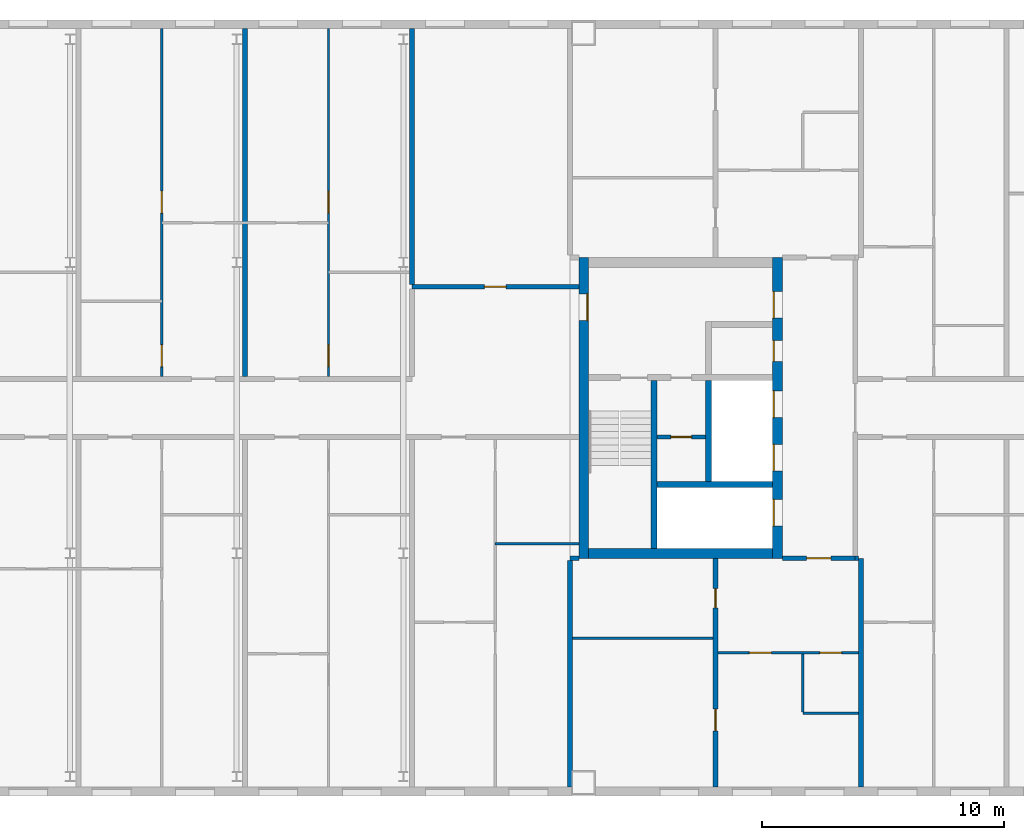
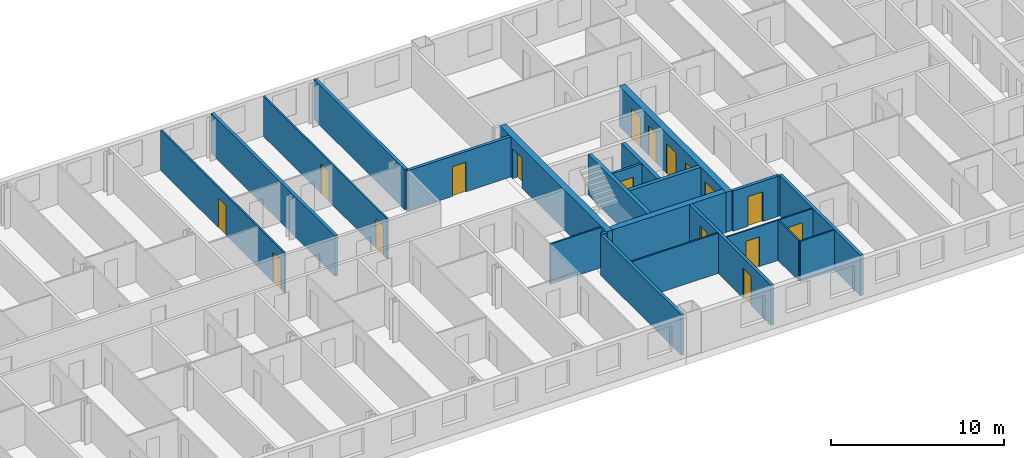
# One storey, part 13 of 19: 23 walls, 17 doors, 17 openings.
"""IFC4 building model written with IfcOpenShell, lengths in metres."""

from ifc_helpers import new_model, si_unit, direction, frame, frame_2d, origin, place, context, subcontext, project, spatial, rectangle, extrude, material, layer, layer_set, type_object, element, fill, save


model = new_model("IFC4")

# Units and contexts
model_context = context("Model", 3, precision=1e-05, world=origin(), true_north=direction((0.0, 1.0)))
body_context = subcontext(model_context, "Body", "Model", "MODEL_VIEW")
ifc_project = project(units=[si_unit("LENGTHUNIT", "METRE"), si_unit("AREAUNIT", "SQUARE_METRE"), si_unit("VOLUMEUNIT", "CUBIC_METRE"), si_unit("PLANEANGLEUNIT", "RADIAN"), si_unit("MASSUNIT", "GRAM", prefix="KILO")], contexts=[model_context])

# Site, building, storey
site_placement = place(None, origin())
site = spatial("IfcSite", under=ifc_project, at=site_placement, CompositionType="ELEMENT")
building_placement = place(site_placement, origin())
building = spatial("IfcBuilding", under=site, at=building_placement, Name="Tuart Gate Housing", CompositionType="ELEMENT")
storey_placement = place(building_placement, frame((0.0, 0.0, 202.800048828125)))
storey = spatial("IfcBuildingStorey", under=building, at=storey_placement, Name="L57", CompositionType="ELEMENT", Elevation=202.800048828125)

# Wall, opening, door
ifc_material_1 = material(Name="Plasterboard partition")
ifc_layer_1 = layer(ifc_material_1, 0.14990234375)
ifc_layer_set_1 = layer_set([ifc_layer_1], Name="Core partition 150")
wall_type_1 = type_object("IfcWallType", Name="Core partition 150", PredefinedType="PARTITIONING", material=ifc_layer_set_1)
wall_1_placement = place(storey_placement, frame((136.5849609375, 68.800048828125, 0.0), z_axis=(0.0, 0.0, 1.0), x_axis=(-1.0, 0.0, 0.0)))
wall_1 = element("IfcWall", 1, at=wall_1_placement, inside=storey, type_object=wall_type_1, Name="Core partition BG.2", PredefinedType="PARTITIONING", context=body_context, shape_type="SweptSolid", body=[
    extrude(rectangle(XDim=2.0, YDim=0.14990234375, at=frame_2d((1.0, 0.0))), origin(), (0.0, 0.0, 1.0), 2.849853515625),
])
opening_1_placement = place(wall_1_placement, frame((0.574951171875, 0.0, 0.0)))
opening_1 = element("IfcOpeningElement", 2, at=opening_1_placement, cuts=wall_1, Name="Opening D2088", PredefinedType="OPENING", context=body_context, shape_type="SweptSolid", body=[
    extrude(rectangle(XDim=0.85009765625, YDim=2.10009765625, at=frame_2d((0.425048828125, 1.050048828125))), frame((0.0, 0.0849609375, 0.0), z_axis=(0.0, -1.0, 0.0), x_axis=(1.0, 0.0, 0.0)), (0.0, 0.0, 1.0), 0.169921875),
])
ifc_material_2 = material(Name="Steel fire door", Category="steel")
door_type_1 = type_object("IfcDoorType", Name="Service door 850 x 2100 RH", OperationType="SINGLE_SWING_RIGHT", PredefinedType="DOOR", material=ifc_material_2)
door_1_placement = place(opening_1_placement, frame((0.85009765625, 0.0, 0.0), z_axis=(0.0, 0.0, 1.0), x_axis=(-1.0, 0.0, 0.0)))
door_1 = element("IfcDoor", 3, at=door_1_placement, inside=storey, type_object=door_type_1, Name="Service room door BG.W2", OperationType="SINGLE_SWING_RIGHT", OverallHeight=2.10009765625, OverallWidth=0.85009765625, PredefinedType="DOOR", context=body_context, shape_type="SweptSolid", body=[
    extrude(rectangle(XDim=0.85009765625, YDim=2.10009765625, at=frame_2d((0.425048828125, 1.050048828125))), frame((0.0, 0.025146484375, 0.0), z_axis=(0.0, -1.0, 0.0), x_axis=(1.0, 0.0, 0.0)), (0.0, 0.0, 1.0), 0.050048828125),
])
fill(opening_1, door_1)

# Walls
ifc_material_3 = material(Name="Concrete C40", Category="concrete")
ifc_layer_2 = layer(ifc_material_3, 0.25)
ifc_layer_set_2 = layer_set([ifc_layer_2], Name="Core wall 250 C40")
wall_type_2 = type_object("IfcWallType", Name="Core wall 250 C40", PredefinedType="SHEAR", material=ifc_layer_set_2)
wall_2_placement = place(storey_placement, frame((139.360107421875, 66.85009765625, 0.0), z_axis=(0.0, 0.0, 1.0), x_axis=(-1.0, 0.0, 0.0)))
element("IfcWall", 4, at=wall_2_placement, inside=storey, type_object=wall_type_2, Name="Core wall BG.1", PredefinedType="SHEAR", context=body_context, shape_type="SweptSolid", body=[
    extrude(rectangle(XDim=4.775146484375, YDim=0.25, at=frame_2d((2.3876953125, 0.0))), origin(), (0.0, 0.0, 1.0), 2.849853515625),
])
wall_3_placement = place(storey_placement, frame((136.7099609375, 66.97509765625, 0.0), z_axis=(0.0, 0.0, 1.0), x_axis=(0.0, 1.0, 0.0)))
element("IfcWall", 5, at=wall_3_placement, inside=storey, type_object=wall_type_2, Name="Core wall BG.5", PredefinedType="SHEAR", context=body_context, shape_type="SweptSolid", body=[
    extrude(rectangle(XDim=4.14990234375, YDim=0.25, at=frame_2d((2.074951171875, 0.0))), origin(), (0.0, 0.0, 1.0), 2.849853515625),
])
wall_4_placement = place(storey_placement, frame((134.4599609375, 64.199951171875, 0.0), z_axis=(0.0, 0.0, 1.0), x_axis=(0.0, 1.0, 0.0)))
element("IfcWall", 6, at=wall_4_placement, inside=storey, type_object=wall_type_2, Name="Core wall BG.7", PredefinedType="SHEAR", context=body_context, shape_type="SweptSolid", body=[
    extrude(rectangle(XDim=6.925048828125, YDim=0.25, at=frame_2d((3.46240234375, 0.0))), origin(), (0.0, 0.0, 1.0), 2.849853515625),
])

# Wall, openings, doors
ifc_material_4 = material(Name="Concrete C40", Category="concrete")
ifc_layer_3 = layer(ifc_material_4, 0.39990234375)
ifc_layer_set_3 = layer_set([ifc_layer_3], Name="Core wall 400 C40")
wall_type_3 = type_object("IfcWallType", Name="Core wall 400 C40", PredefinedType="SHEAR", material=ifc_layer_set_3)
wall_5_placement = place(storey_placement, frame((139.56005859375, 63.800048828125, 0.0), z_axis=(0.0, 0.0, 1.0), x_axis=(0.0, 1.0, 0.0)))
wall_5 = element("IfcWall", 7, at=wall_5_placement, inside=storey, type_object=wall_type_3, Name="Core wall BG front", PredefinedType="SHEAR", context=body_context, shape_type="SweptSolid", body=[
    extrude(rectangle(XDim=12.39990234375, YDim=0.39990234375, at=frame_2d((6.199951171875, 0.0))), origin(), (0.0, 0.0, 1.0), 2.849853515625),
])
opening_2_placement = place(wall_5_placement, frame((1.324951171875, 0.0, 0.0)))
opening_2 = element("IfcOpeningElement", 8, at=opening_2_placement, cuts=wall_5, Name="Opening LD-FB1", PredefinedType="OPENING", context=body_context, shape_type="SweptSolid", body=[
    extrude(rectangle(XDim=1.10009765625, YDim=2.10009765625, at=frame_2d((0.550048828125, 1.050048828125))), frame((0.0, 0.2099609375, 0.0), z_axis=(0.0, -1.0, 0.0), x_axis=(1.0, 0.0, 0.0)), (0.0, 0.0, 1.0), 0.419921875),
])
opening_3_placement = place(wall_5_placement, frame((3.60009765625, 0.0, 0.0)))
opening_3 = element("IfcOpeningElement", 9, at=opening_3_placement, cuts=wall_5, Name="Opening LD-LB1", PredefinedType="OPENING", context=body_context, shape_type="SweptSolid", body=[
    extrude(rectangle(XDim=1.10009765625, YDim=2.10009765625, at=frame_2d((0.550048828125, 1.050048828125))), frame((0.0, 0.2099609375, 0.0), z_axis=(0.0, -1.0, 0.0), x_axis=(1.0, 0.0, 0.0)), (0.0, 0.0, 1.0), 0.419921875),
])
opening_4_placement = place(wall_5_placement, frame((5.800048828125, 0.0, 0.0)))
opening_4 = element("IfcOpeningElement", 10, at=opening_4_placement, cuts=wall_5, Name="Opening LD-LB2", PredefinedType="OPENING", context=body_context, shape_type="SweptSolid", body=[
    extrude(rectangle(XDim=1.10009765625, YDim=2.10009765625, at=frame_2d((0.550048828125, 1.050048828125))), frame((0.0, 0.2099609375, 0.0), z_axis=(0.0, -1.0, 0.0), x_axis=(1.0, 0.0, 0.0)), (0.0, 0.0, 1.0), 0.419921875),
])
opening_5_placement = place(wall_5_placement, frame((9.89990234375, 0.0, 0.0)))
opening_5 = element("IfcOpeningElement", 11, at=opening_5_placement, cuts=wall_5, Name="Opening D2081", PredefinedType="OPENING", context=body_context, shape_type="SweptSolid", body=[
    extrude(rectangle(XDim=1.10009765625, YDim=2.10009765625, at=frame_2d((0.550048828125, 1.050048828125))), frame((0.0, 0.2099609375, 0.0), z_axis=(0.0, -1.0, 0.0), x_axis=(1.0, 0.0, 0.0)), (0.0, 0.0, 1.0), 0.419921875),
])
opening_6_placement = place(wall_5_placement, frame((8.125, 0.0, 0.0)))
opening_6 = element("IfcOpeningElement", 12, at=opening_6_placement, cuts=wall_5, Name="Opening D2082", PredefinedType="OPENING", context=body_context, shape_type="SweptSolid", body=[
    extrude(rectangle(XDim=0.85009765625, YDim=2.10009765625, at=frame_2d((0.425048828125, 1.050048828125))), frame((0.0, 0.2099609375, 0.0), z_axis=(0.0, -1.0, 0.0), x_axis=(1.0, 0.0, 0.0)), (0.0, 0.0, 1.0), 0.419921875),
])
ifc_material_5 = material(Name="Stainless steel", Category="steel")
door_type_2 = type_object("IfcDoorType", Name="Landing door 1100 x 2100", OperationType="DOUBLE_DOOR_SLIDING", PredefinedType="DOOR", material=ifc_material_5)
door_2_placement = place(opening_2_placement, origin())
door_2 = element("IfcDoor", 13, at=door_2_placement, inside=storey, type_object=door_type_2, Name="Lift landing door FB1", OperationType="DOUBLE_DOOR_SLIDING", OverallHeight=2.10009765625, OverallWidth=1.10009765625, PredefinedType="DOOR", context=body_context, shape_type="SweptSolid", body=[
    extrude(rectangle(XDim=1.10009765625, YDim=2.10009765625, at=frame_2d((0.550048828125, 1.050048828125))), frame((0.0, 0.18505859375, 0.0), z_axis=(0.0, -1.0, 0.0), x_axis=(1.0, 0.0, 0.0)), (0.0, 0.0, 1.0), 0.050048828125),
])
fill(opening_2, door_2)
door_3_placement = place(opening_3_placement, origin())
door_3 = element("IfcDoor", 14, at=door_3_placement, inside=storey, type_object=door_type_2, Name="Lift landing door LB1", OperationType="DOUBLE_DOOR_SLIDING", OverallHeight=2.10009765625, OverallWidth=1.10009765625, PredefinedType="DOOR", context=body_context, shape_type="SweptSolid", body=[
    extrude(rectangle(XDim=1.10009765625, YDim=2.10009765625, at=frame_2d((0.550048828125, 1.050048828125))), frame((0.0, 0.18505859375, 0.0), z_axis=(0.0, -1.0, 0.0), x_axis=(1.0, 0.0, 0.0)), (0.0, 0.0, 1.0), 0.050048828125),
])
fill(opening_3, door_3)
door_4_placement = place(opening_4_placement, origin())
door_4 = element("IfcDoor", 15, at=door_4_placement, inside=storey, type_object=door_type_2, Name="Lift landing door LB2", OperationType="DOUBLE_DOOR_SLIDING", OverallHeight=2.10009765625, OverallWidth=1.10009765625, PredefinedType="DOOR", context=body_context, shape_type="SweptSolid", body=[
    extrude(rectangle(XDim=1.10009765625, YDim=2.10009765625, at=frame_2d((0.550048828125, 1.050048828125))), frame((0.0, 0.18505859375, 0.0), z_axis=(0.0, -1.0, 0.0), x_axis=(1.0, 0.0, 0.0)), (0.0, 0.0, 1.0), 0.050048828125),
])
fill(opening_4, door_4)
ifc_material_6 = material(Name="Steel fire door", Category="steel")
door_type_3 = type_object("IfcDoorType", Name="Lobby door 1100 x 2100", OperationType="SINGLE_SWING_LEFT", PredefinedType="DOOR", material=ifc_material_6)
door_5_placement = place(opening_5_placement, origin())
door_5 = element("IfcDoor", 16, at=door_5_placement, inside=storey, type_object=door_type_3, Name="Lobby entry door BG.EN", OperationType="SINGLE_SWING_LEFT", OverallHeight=2.10009765625, OverallWidth=1.10009765625, PredefinedType="DOOR", context=body_context, shape_type="SweptSolid", body=[
    extrude(rectangle(XDim=1.10009765625, YDim=2.10009765625, at=frame_2d((0.550048828125, 1.050048828125))), frame((0.0, 0.18505859375, 0.0), z_axis=(0.0, -1.0, 0.0), x_axis=(1.0, 0.0, 0.0)), (0.0, 0.0, 1.0), 0.050048828125),
])
fill(opening_5, door_5)
ifc_material_7 = material(Name="Steel fire door", Category="steel")
door_type_4 = type_object("IfcDoorType", Name="Service door 850 x 2100", OperationType="SINGLE_SWING_LEFT", PredefinedType="DOOR", material=ifc_material_7)
door_6_placement = place(opening_6_placement, origin())
door_6 = element("IfcDoor", 17, at=door_6_placement, inside=storey, type_object=door_type_4, Name="Service room door BG.T1", OperationType="SINGLE_SWING_LEFT", OverallHeight=2.10009765625, OverallWidth=0.85009765625, PredefinedType="DOOR", context=body_context, shape_type="SweptSolid", body=[
    extrude(rectangle(XDim=0.85009765625, YDim=2.10009765625, at=frame_2d((0.425048828125, 1.050048828125))), frame((0.0, 0.18505859375, 0.0), z_axis=(0.0, -1.0, 0.0), x_axis=(1.0, 0.0, 0.0)), (0.0, 0.0, 1.0), 0.050048828125),
])
fill(opening_6, door_6)

# Wall, opening, door
wall_6_placement = place(storey_placement, frame((131.56005859375, 63.800048828125, 0.0), z_axis=(0.0, 0.0, 1.0), x_axis=(0.0, 1.0, 0.0)))
wall_6 = element("IfcWall", 18, at=wall_6_placement, inside=storey, type_object=wall_type_3, Name="Core wall BG back", PredefinedType="SHEAR", context=body_context, shape_type="SweptSolid", body=[
    extrude(rectangle(XDim=12.39990234375, YDim=0.39990234375, at=frame_2d((6.199951171875, 0.0))), origin(), (0.0, 0.0, 1.0), 2.849853515625),
])
opening_7_placement = place(wall_6_placement, frame((9.800048828125, 0.0, 0.0)))
opening_7 = element("IfcOpeningElement", 19, at=opening_7_placement, cuts=wall_6, Name="Opening D2080", PredefinedType="OPENING", context=body_context, shape_type="SweptSolid", body=[
    extrude(rectangle(XDim=1.10009765625, YDim=2.10009765625, at=frame_2d((0.550048828125, 1.050048828125))), frame((0.0, 0.2099609375, 0.0), z_axis=(0.0, -1.0, 0.0), x_axis=(1.0, 0.0, 0.0)), (0.0, 0.0, 1.0), 0.419921875),
])
door_7_placement = place(opening_7_placement, frame((1.10009765625, 0.0, 0.0), z_axis=(0.0, 0.0, 1.0), x_axis=(-1.0, 0.0, 0.0)))
door_7 = element("IfcDoor", 20, at=door_7_placement, inside=storey, type_object=door_type_3, Name="Link door BG.LK", OperationType="SINGLE_SWING_LEFT", OverallHeight=2.10009765625, OverallWidth=1.10009765625, PredefinedType="DOOR", context=body_context, shape_type="SweptSolid", body=[
    extrude(rectangle(XDim=1.10009765625, YDim=2.10009765625, at=frame_2d((0.550048828125, 1.050048828125))), frame((0.0, 0.184814453125, 0.0), z_axis=(0.0, -1.0, 0.0), x_axis=(1.0, 0.0, 0.0)), (0.0, 0.0, 1.0), 0.050048828125),
])
fill(opening_7, door_7)

# Wall
wall_7_placement = place(storey_placement, frame((139.360107421875, 64.0, 0.0), z_axis=(0.0, 0.0, 1.0), x_axis=(-1.0, 0.0, 0.0)))
element("IfcWall", 21, at=wall_7_placement, inside=storey, type_object=wall_type_3, Name="Core wall BG south", PredefinedType="SHEAR", context=body_context, shape_type="SweptSolid", body=[
    extrude(rectangle(XDim=7.60009765625, YDim=0.39990234375, at=frame_2d((3.800048828125, 0.0))), origin(), (0.0, 0.0, 1.0), 2.849853515625),
])

# Wall, opening, door
ifc_material_8 = material(Name="Concrete masonry 15 MPa", Category="masonry")
ifc_layer_4 = layer(ifc_material_8, 0.199951171875)
ifc_layer_set_4 = layer_set([ifc_layer_4], Name="Corridor wall masonry 200")
wall_type_4 = type_object("IfcWallType", Name="Corridor wall masonry 200", PredefinedType="PARTITIONING", material=ifc_layer_set_4)
wall_8_placement = place(storey_placement, frame((124.47509765625, 75.0, 0.0), z_axis=(0.0, 0.0, 1.0), x_axis=(1.0, 0.0, 0.0)))
wall_8 = element("IfcWall", 22, at=wall_8_placement, inside=storey, type_object=wall_type_4, Name="Corridor wall masonry 200", PredefinedType="PARTITIONING", context=body_context, shape_type="SweptSolid", body=[
    extrude(rectangle(XDim=6.885009765625, YDim=0.199951171875, at=frame_2d((3.4423828125, 0.0))), origin(), (0.0, 0.0, 1.0), 2.849853515625),
])
opening_8_placement = place(wall_8_placement, frame((2.992431640625, 0.0, 0.0)))
opening_8 = element("IfcOpeningElement", 23, at=opening_8_placement, cuts=wall_8, Name="Opening D2022", PredefinedType="OPENING", context=body_context, shape_type="SweptSolid", body=[
    extrude(rectangle(XDim=0.89990234375, YDim=2.10009765625, at=frame_2d((0.449951171875, 1.050048828125))), frame((0.0, 0.10986328125, 0.0), z_axis=(0.0, -1.0, 0.0), x_axis=(1.0, 0.0, 0.0)), (0.0, 0.0, 1.0), 0.219970703125),
])
ifc_material_9 = material(Name="Timber door leaf in steel frame", Category="steel")
door_type_5 = type_object("IfcDoorType", Name="Internal door 900", OperationType="SINGLE_SWING_LEFT", PredefinedType="DOOR", material=ifc_material_9)
door_8_placement = place(opening_8_placement, origin())
door_8 = element("IfcDoor", 24, at=door_8_placement, inside=storey, type_object=door_type_5, Name="Internal door", OperationType="SINGLE_SWING_LEFT", OverallHeight=2.10009765625, OverallWidth=0.89990234375, PredefinedType="DOOR", context=body_context, shape_type="SweptSolid", body=[
    extrude(rectangle(XDim=0.89990234375, YDim=2.10009765625, at=frame_2d((0.449951171875, 1.050048828125))), frame((0.0, 0.02490234375, 0.0), z_axis=(0.0, -1.0, 0.0), x_axis=(1.0, 0.0, 0.0)), (0.0, 0.0, 1.0), 0.050048828125),
])
fill(opening_8, door_8)

ifc_material_10 = material(Name="Concrete masonry 15 MPa", Category="masonry")
ifc_layer_5 = layer(ifc_material_10, 0.199951171875)
ifc_layer_set_5 = layer_set([ifc_layer_5], Name="Enclosure wall masonry 200")
wall_type_5 = type_object("IfcWallType", Name="Enclosure wall masonry 200", PredefinedType="PARTITIONING", material=ifc_layer_set_5)
wall_9_placement = place(storey_placement, frame((139.760009765625, 63.800048828125, 0.0), z_axis=(0.0, 0.0, 1.0), x_axis=(1.0, 0.0, 0.0)))
wall_9 = element("IfcWall", 25, at=wall_9_placement, inside=storey, type_object=wall_type_5, Name="Enclosure wall masonry 200", PredefinedType="PARTITIONING", context=body_context, shape_type="SweptSolid", body=[
    extrude(rectangle(XDim=3.0, YDim=0.199951171875, at=frame_2d((1.5, 0.0))), origin(), (0.0, 0.0, 1.0), 2.849853515625),
])
opening_9_placement = place(wall_9_placement, frame((1.0, 0.0, 0.0)))
opening_9 = element("IfcOpeningElement", 26, at=opening_9_placement, cuts=wall_9, Name="Opening D2093", PredefinedType="OPENING", context=body_context, shape_type="SweptSolid", body=[
    extrude(rectangle(XDim=1.0, YDim=2.10009765625, at=frame_2d((0.5, 1.050048828125))), frame((0.0, 0.10986328125, 0.0), z_axis=(0.0, -1.0, 0.0), x_axis=(1.0, 0.0, 0.0)), (0.0, 0.0, 1.0), 0.219970703125),
])
ifc_material_11 = material(Name="Timber door leaf in steel frame", Category="steel")
door_type_6 = type_object("IfcDoorType", Name="Flat entrance door 1000", OperationType="SINGLE_SWING_LEFT", PredefinedType="DOOR", material=ifc_material_11)
door_9_placement = place(opening_9_placement, frame((1.0, 0.0, 0.0), z_axis=(0.0, 0.0, 1.0), x_axis=(-1.0, 0.0, 0.0)))
door_9 = element("IfcDoor", 27, at=door_9_placement, inside=storey, type_object=door_type_6, Name="Flat entrance door", OperationType="SINGLE_SWING_LEFT", OverallHeight=2.10009765625, OverallWidth=1.0, PredefinedType="DOOR", context=body_context, shape_type="SweptSolid", body=[
    extrude(rectangle(XDim=1.0, YDim=2.10009765625, at=frame_2d((0.5, 1.050048828125))), frame((0.0, 0.025146484375, 0.0), z_axis=(0.0, -1.0, 0.0), x_axis=(1.0, 0.0, 0.0)), (0.0, 0.0, 1.0), 0.050048828125),
])
fill(opening_9, door_9)

# Wall
ifc_material_12 = material(Name="Gypsum board on steel studs", Category="steel")
ifc_layer_6 = layer(ifc_material_12, 0.10009765625)
ifc_layer_set_6 = layer_set([ifc_layer_6], Name="Partition 100")
wall_type_6 = type_object("IfcWallType", Name="Partition 100", PredefinedType="PARTITIONING", material=ifc_layer_set_6)
wall_10_placement = place(storey_placement, frame((140.60009765625, 57.39990234375, 0.0), z_axis=(0.0, 0.0, 1.0), x_axis=(1.0, 0.0, 0.0)))
element("IfcWall", 28, at=wall_10_placement, inside=storey, type_object=wall_type_6, Name="Partition 100", PredefinedType="PARTITIONING", context=body_context, shape_type="SweptSolid", body=[
    extrude(rectangle(XDim=2.2998046875, YDim=0.10009765625, at=frame_2d((1.14990234375, 0.0))), origin(), (0.0, 0.0, 1.0), 2.849853515625),
])

# Wall, openings, doors
wall_11_placement = place(storey_placement, frame((137.10009765625, 59.89990234375, 0.0), z_axis=(0.0, 0.0, 1.0), x_axis=(1.0, 0.0, 0.0)))
wall_11 = element("IfcWall", 29, at=wall_11_placement, inside=storey, type_object=wall_type_6, Name="Partition 100", PredefinedType="PARTITIONING", context=body_context, shape_type="SweptSolid", body=[
    extrude(rectangle(XDim=5.7998046875, YDim=0.10009765625, at=frame_2d((2.89990234375, 0.0))), origin(), (0.0, 0.0, 1.0), 2.849853515625),
])
opening_10_placement = place(wall_11_placement, frame((1.300048828125, 0.0, 0.0)))
opening_10 = element("IfcOpeningElement", 30, at=opening_10_placement, cuts=wall_11, Name="Opening D2103", PredefinedType="OPENING", context=body_context, shape_type="SweptSolid", body=[
    extrude(rectangle(XDim=0.89990234375, YDim=2.10009765625, at=frame_2d((0.449951171875, 1.050048828125))), frame((0.0, 0.06005859375, 0.0), z_axis=(0.0, -1.0, 0.0), x_axis=(1.0, 0.0, 0.0)), (0.0, 0.0, 1.0), 0.1201171875),
])
opening_11_placement = place(wall_11_placement, frame((4.199951171875, 0.0, 0.0)))
opening_11 = element("IfcOpeningElement", 31, at=opening_11_placement, cuts=wall_11, Name="Opening D2102", PredefinedType="OPENING", context=body_context, shape_type="SweptSolid", body=[
    extrude(rectangle(XDim=0.89990234375, YDim=2.10009765625, at=frame_2d((0.449951171875, 1.050048828125))), frame((0.0, 0.06005859375, 0.0), z_axis=(0.0, -1.0, 0.0), x_axis=(1.0, 0.0, 0.0)), (0.0, 0.0, 1.0), 0.1201171875),
])
ifc_material_13 = material(Name="Timber door leaf in steel frame", Category="steel")
door_type_7 = type_object("IfcDoorType", Name="Bathroom door 900 RH", OperationType="SINGLE_SWING_RIGHT", PredefinedType="DOOR", material=ifc_material_13)
door_10_placement = place(opening_11_placement, frame((0.89990234375, 0.0, 0.0), z_axis=(0.0, 0.0, 1.0), x_axis=(-1.0, 0.0, 0.0)))
door_10 = element("IfcDoor", 32, at=door_10_placement, inside=storey, type_object=door_type_7, Name="Bathroom door", OperationType="SINGLE_SWING_RIGHT", OverallHeight=2.10009765625, OverallWidth=0.89990234375, PredefinedType="DOOR", context=body_context, shape_type="SweptSolid", body=[
    extrude(rectangle(XDim=0.89990234375, YDim=2.10009765625, at=frame_2d((0.449951171875, 1.050048828125))), frame((0.0, 0.025146484375, 0.0), z_axis=(0.0, -1.0, 0.0), x_axis=(1.0, 0.0, 0.0)), (0.0, 0.0, 1.0), 0.050048828125),
])
fill(opening_11, door_10)
door_11_placement = place(opening_10_placement, origin())
door_11 = element("IfcDoor", 33, at=door_11_placement, inside=storey, type_object=door_type_5, Name="Internal door", OperationType="SINGLE_SWING_LEFT", OverallHeight=2.10009765625, OverallWidth=0.89990234375, PredefinedType="DOOR", context=body_context, shape_type="SweptSolid", body=[
    extrude(rectangle(XDim=0.89990234375, YDim=2.10009765625, at=frame_2d((0.449951171875, 1.050048828125))), frame((0.0, 0.02490234375, 0.0), z_axis=(0.0, -1.0, 0.0), x_axis=(1.0, 0.0, 0.0)), (0.0, 0.0, 1.0), 0.050048828125),
])
fill(opening_10, door_11)

# Walls
wall_12_placement = place(storey_placement, frame((131.10009765625, 60.5, 0.0), z_axis=(0.0, 0.0, 1.0), x_axis=(1.0, 0.0, 0.0)))
element("IfcWall", 34, at=wall_12_placement, inside=storey, type_object=wall_type_6, Name="Partition 100", PredefinedType="PARTITIONING", context=body_context, shape_type="SweptSolid", body=[
    extrude(rectangle(XDim=5.7998046875, YDim=0.10009765625, at=frame_2d((2.89990234375, 0.0))), origin(), (0.0, 0.0, 1.0), 2.849853515625),
])
wall_13_placement = place(storey_placement, frame((127.912109375, 64.39990234375, 0.0), z_axis=(0.0, 0.0, 1.0), x_axis=(1.0, 0.0, 0.0)))
element("IfcWall", 35, at=wall_13_placement, inside=storey, type_object=wall_type_6, Name="Partition 100", PredefinedType="PARTITIONING", context=body_context, shape_type="SweptSolid", body=[
    extrude(rectangle(XDim=3.447998046875, YDim=0.10009765625, at=frame_2d((1.72412109375, 0.0))), origin(), (0.0, 0.0, 1.0), 2.849853515625),
])

# Wall, openings, doors
wall_14_placement = place(storey_placement, frame((114.162109375, 71.300048828125, 0.0), z_axis=(0.0, 0.0, 1.0), x_axis=(0.0, 1.0, 0.0)))
wall_14 = element("IfcWall", 36, at=wall_14_placement, inside=storey, type_object=wall_type_6, Name="Partition 100", PredefinedType="PARTITIONING", context=body_context, shape_type="SweptSolid", body=[
    extrude(rectangle(XDim=14.33984375, YDim=0.10009765625, at=frame_2d((7.169921875, 0.0))), origin(), (0.0, 0.0, 1.0), 2.849853515625),
])
opening_12_placement = place(wall_14_placement, frame((6.739990234375, 0.0, 0.0)))
opening_12 = element("IfcOpeningElement", 37, at=opening_12_placement, cuts=wall_14, Name="Opening D2014", PredefinedType="OPENING", context=body_context, shape_type="SweptSolid", body=[
    extrude(rectangle(XDim=0.89990234375, YDim=2.10009765625, at=frame_2d((0.449951171875, 1.050048828125))), frame((0.0, 0.06005859375, 0.0), z_axis=(0.0, -1.0, 0.0), x_axis=(1.0, 0.0, 0.0)), (0.0, 0.0, 1.0), 0.1201171875),
])
opening_13_placement = place(wall_14_placement, frame((0.39990234375, 0.0, 0.0)))
opening_13 = element("IfcOpeningElement", 38, at=opening_13_placement, cuts=wall_14, Name="Opening D2013", PredefinedType="OPENING", context=body_context, shape_type="SweptSolid", body=[
    extrude(rectangle(XDim=0.89990234375, YDim=2.10009765625, at=frame_2d((0.449951171875, 1.050048828125))), frame((0.0, 0.06005859375, 0.0), z_axis=(0.0, -1.0, 0.0), x_axis=(1.0, 0.0, 0.0)), (0.0, 0.0, 1.0), 0.1201171875),
])
ifc_material_14 = material(Name="Timber door leaf in steel frame", Category="steel")
door_type_8 = type_object("IfcDoorType", Name="Bathroom door 900", OperationType="SINGLE_SWING_LEFT", PredefinedType="DOOR", material=ifc_material_14)
door_12_placement = place(opening_13_placement, origin())
door_12 = element("IfcDoor", 39, at=door_12_placement, inside=storey, type_object=door_type_8, Name="Bathroom door", OperationType="SINGLE_SWING_LEFT", OverallHeight=2.10009765625, OverallWidth=0.89990234375, PredefinedType="DOOR", context=body_context, shape_type="SweptSolid", body=[
    extrude(rectangle(XDim=0.89990234375, YDim=2.10009765625, at=frame_2d((0.449951171875, 1.050048828125))), frame((0.0, 0.02490234375, 0.0), z_axis=(0.0, -1.0, 0.0), x_axis=(1.0, 0.0, 0.0)), (0.0, 0.0, 1.0), 0.050048828125),
])
fill(opening_13, door_12)
door_13_placement = place(opening_12_placement, origin())
door_13 = element("IfcDoor", 40, at=door_13_placement, inside=storey, type_object=door_type_5, Name="Internal door", OperationType="SINGLE_SWING_LEFT", OverallHeight=2.10009765625, OverallWidth=0.89990234375, PredefinedType="DOOR", context=body_context, shape_type="SweptSolid", body=[
    extrude(rectangle(XDim=0.89990234375, YDim=2.10009765625, at=frame_2d((0.449951171875, 1.050048828125))), frame((0.0, 0.02490234375, 0.0), z_axis=(0.0, -1.0, 0.0), x_axis=(1.0, 0.0, 0.0)), (0.0, 0.0, 1.0), 0.050048828125),
])
fill(opening_12, door_13)

wall_15_placement = place(storey_placement, frame((121.037109375, 71.300048828125, 0.0), z_axis=(0.0, 0.0, 1.0), x_axis=(0.0, 1.0, 0.0)))
wall_15 = element("IfcWall", 41, at=wall_15_placement, inside=storey, type_object=wall_type_6, Name="Partition 100", PredefinedType="PARTITIONING", context=body_context, shape_type="SweptSolid", body=[
    extrude(rectangle(XDim=14.33984375, YDim=0.10009765625, at=frame_2d((7.169921875, 0.0))), origin(), (0.0, 0.0, 1.0), 2.849853515625),
])
opening_14_placement = place(wall_15_placement, frame((6.739990234375, 0.0, 0.0)))
opening_14 = element("IfcOpeningElement", 42, at=opening_14_placement, cuts=wall_15, Name="Opening D2016", PredefinedType="OPENING", context=body_context, shape_type="SweptSolid", body=[
    extrude(rectangle(XDim=0.89990234375, YDim=2.10009765625, at=frame_2d((0.449951171875, 1.050048828125))), frame((0.0, 0.06005859375, 0.0), z_axis=(0.0, -1.0, 0.0), x_axis=(1.0, 0.0, 0.0)), (0.0, 0.0, 1.0), 0.1201171875),
])
opening_15_placement = place(wall_15_placement, frame((0.39990234375, 0.0, 0.0)))
opening_15 = element("IfcOpeningElement", 43, at=opening_15_placement, cuts=wall_15, Name="Opening D2015", PredefinedType="OPENING", context=body_context, shape_type="SweptSolid", body=[
    extrude(rectangle(XDim=0.89990234375, YDim=2.10009765625, at=frame_2d((0.449951171875, 1.050048828125))), frame((0.0, 0.06005859375, 0.0), z_axis=(0.0, -1.0, 0.0), x_axis=(1.0, 0.0, 0.0)), (0.0, 0.0, 1.0), 0.1201171875),
])
door_14_placement = place(opening_15_placement, frame((0.89990234375, 0.0, 0.0), z_axis=(0.0, 0.0, 1.0), x_axis=(-1.0, 0.0, 0.0)))
door_14 = element("IfcDoor", 44, at=door_14_placement, inside=storey, type_object=door_type_7, Name="Bathroom door", OperationType="SINGLE_SWING_RIGHT", OverallHeight=2.10009765625, OverallWidth=0.89990234375, PredefinedType="DOOR", context=body_context, shape_type="SweptSolid", body=[
    extrude(rectangle(XDim=0.89990234375, YDim=2.10009765625, at=frame_2d((0.449951171875, 1.050048828125))), frame((0.0, 0.025146484375, 0.0), z_axis=(0.0, -1.0, 0.0), x_axis=(1.0, 0.0, 0.0)), (0.0, 0.0, 1.0), 0.050048828125),
])
fill(opening_15, door_14)
ifc_material_15 = material(Name="Timber door leaf in steel frame", Category="steel")
door_type_9 = type_object("IfcDoorType", Name="Internal door 900 RH", OperationType="SINGLE_SWING_RIGHT", PredefinedType="DOOR", material=ifc_material_15)
door_15_placement = place(opening_14_placement, frame((0.89990234375, 0.0, 0.0), z_axis=(0.0, 0.0, 1.0), x_axis=(-1.0, 0.0, 0.0)))
door_15 = element("IfcDoor", 45, at=door_15_placement, inside=storey, type_object=door_type_9, Name="Internal door", OperationType="SINGLE_SWING_RIGHT", OverallHeight=2.10009765625, OverallWidth=0.89990234375, PredefinedType="DOOR", context=body_context, shape_type="SweptSolid", body=[
    extrude(rectangle(XDim=0.89990234375, YDim=2.10009765625, at=frame_2d((0.449951171875, 1.050048828125))), frame((0.0, 0.025146484375, 0.0), z_axis=(0.0, -1.0, 0.0), x_axis=(1.0, 0.0, 0.0)), (0.0, 0.0, 1.0), 0.050048828125),
])
fill(opening_14, door_15)

# Wall
wall_16_placement = place(storey_placement, frame((140.60009765625, 57.449951171875, 0.0), z_axis=(0.0, 0.0, 1.0), x_axis=(0.0, 1.0, 0.0)))
element("IfcWall", 46, at=wall_16_placement, inside=storey, type_object=wall_type_6, Name="Partition 100", PredefinedType="PARTITIONING", context=body_context, shape_type="SweptSolid", body=[
    extrude(rectangle(XDim=2.400146484375, YDim=0.10009765625, at=frame_2d((1.2001953125, 0.0))), origin(), (0.0, 0.0, 1.0), 2.849853515625),
])

# Wall, openings, doors
ifc_material_16 = material(Name="Concrete C40", Category="concrete")
ifc_layer_7 = layer(ifc_material_16, 0.199951171875)
ifc_layer_set_7 = layer_set([ifc_layer_7], Name="Party wall concrete C40 200")
wall_type_7 = type_object("IfcWallType", Name="Party wall concrete C40 200", PredefinedType="SOLIDWALL", material=ifc_layer_set_7)
wall_17_placement = place(storey_placement, frame((137.0, 54.360107421875, 0.0), z_axis=(0.0, 0.0, 1.0), x_axis=(0.0, 1.0, 0.0)))
wall_17 = element("IfcWall", 47, at=wall_17_placement, inside=storey, type_object=wall_type_7, Name="Party wall concrete C40 200", PredefinedType="SOLIDWALL", context=body_context, shape_type="SweptSolid", body=[
    extrude(rectangle(XDim=9.43994140625, YDim=0.199951171875, at=frame_2d((4.719970703125, 0.0))), origin(), (0.0, 0.0, 1.0), 2.849853515625),
])
opening_16_placement = place(wall_17_placement, frame((2.320068359375, 0.0, 0.0)))
opening_16 = element("IfcOpeningElement", 48, at=opening_16_placement, cuts=wall_17, Name="Opening D2105", PredefinedType="OPENING", context=body_context, shape_type="SweptSolid", body=[
    extrude(rectangle(XDim=0.89990234375, YDim=2.10009765625, at=frame_2d((0.449951171875, 1.050048828125))), frame((0.0, 0.10986328125, 0.0), z_axis=(0.0, -1.0, 0.0), x_axis=(1.0, 0.0, 0.0)), (0.0, 0.0, 1.0), 0.219970703125),
])
opening_17_placement = place(wall_17_placement, frame((7.389892578125, 0.0, 0.0)))
opening_17 = element("IfcOpeningElement", 49, at=opening_17_placement, cuts=wall_17, Name="Opening D2106", PredefinedType="OPENING", context=body_context, shape_type="SweptSolid", body=[
    extrude(rectangle(XDim=0.800048828125, YDim=2.10009765625, at=frame_2d((0.39990234375, 1.050048828125))), frame((0.0, 0.10986328125, 0.0), z_axis=(0.0, -1.0, 0.0), x_axis=(1.0, 0.0, 0.0)), (0.0, 0.0, 1.0), 0.219970703125),
])
door_16_placement = place(opening_16_placement, origin())
door_16 = element("IfcDoor", 50, at=door_16_placement, inside=storey, type_object=door_type_5, Name="Internal door", OperationType="SINGLE_SWING_LEFT", OverallHeight=2.10009765625, OverallWidth=0.89990234375, PredefinedType="DOOR", context=body_context, shape_type="SweptSolid", body=[
    extrude(rectangle(XDim=0.89990234375, YDim=2.10009765625, at=frame_2d((0.449951171875, 1.050048828125))), frame((0.0, 0.02490234375, 0.0), z_axis=(0.0, -1.0, 0.0), x_axis=(1.0, 0.0, 0.0)), (0.0, 0.0, 1.0), 0.050048828125),
])
fill(opening_16, door_16)
ifc_material_17 = material(Name="Timber door leaf in steel frame", Category="steel")
door_type_10 = type_object("IfcDoorType", Name="Store door 800", OperationType="SINGLE_SWING_LEFT", PredefinedType="DOOR", material=ifc_material_17)
door_17_placement = place(opening_17_placement, origin())
door_17 = element("IfcDoor", 51, at=door_17_placement, inside=storey, type_object=door_type_10, Name="Store door", OperationType="SINGLE_SWING_LEFT", OverallHeight=2.10009765625, OverallWidth=0.800048828125, PredefinedType="DOOR", context=body_context, shape_type="SweptSolid", body=[
    extrude(rectangle(XDim=0.800048828125, YDim=2.10009765625, at=frame_2d((0.39990234375, 1.050048828125))), frame((0.0, 0.02490234375, 0.0), z_axis=(0.0, -1.0, 0.0), x_axis=(1.0, 0.0, 0.0)), (0.0, 0.0, 1.0), 0.050048828125),
])
fill(opening_17, door_17)

# Walls
wall_18_placement = place(storey_placement, frame((143.0, 54.360107421875, 0.0), z_axis=(0.0, 0.0, 1.0), x_axis=(0.0, 1.0, 0.0)))
element("IfcWall", 52, at=wall_18_placement, inside=storey, type_object=wall_type_7, Name="Party wall concrete C40 200", PredefinedType="SOLIDWALL", context=body_context, shape_type="SweptSolid", body=[
    extrude(rectangle(XDim=9.43994140625, YDim=0.199951171875, at=frame_2d((4.719970703125, 0.0))), origin(), (0.0, 0.0, 1.0), 2.849853515625),
])
ifc_material_18 = material(Name="Concrete masonry 15 MPa", Category="masonry")
ifc_layer_8 = layer(ifc_material_18, 0.199951171875)
ifc_layer_set_8 = layer_set([ifc_layer_8], Name="Party wall masonry 200")
wall_type_8 = type_object("IfcWallType", Name="Party wall masonry 200", PredefinedType="PARTITIONING", material=ifc_layer_set_8)
wall_19_placement = place(storey_placement, frame((131.0, 63.800048828125, 0.0), z_axis=(0.0, 0.0, 1.0), x_axis=(1.0, 0.0, 0.0)))
element("IfcWall", 53, at=wall_19_placement, inside=storey, type_object=wall_type_8, Name="Party wall masonry 200", PredefinedType="PARTITIONING", context=body_context, shape_type="SweptSolid", body=[
    extrude(rectangle(XDim=0.360107421875, YDim=0.199951171875, at=frame_2d((0.18017578125, 0.0))), origin(), (0.0, 0.0, 1.0), 2.849853515625),
])
wall_20_placement = place(storey_placement, frame((142.760009765625, 63.800048828125, 0.0), z_axis=(0.0, 0.0, 1.0), x_axis=(1.0, 0.0, 0.0)))
element("IfcWall", 54, at=wall_20_placement, inside=storey, type_object=wall_type_8, Name="Party wall masonry 200", PredefinedType="PARTITIONING", context=body_context, shape_type="SweptSolid", body=[
    extrude(rectangle(XDim=0.139892578125, YDim=0.199951171875, at=frame_2d((0.06982421875, 0.0))), origin(), (0.0, 0.0, 1.0), 2.849853515625),
])
wall_21_placement = place(storey_placement, frame((117.60009765625, 71.300048828125, 0.0), z_axis=(0.0, 0.0, 1.0), x_axis=(0.0, 1.0, 0.0)))
element("IfcWall", 55, at=wall_21_placement, inside=storey, type_object=wall_type_8, Name="Party wall masonry 200", PredefinedType="PARTITIONING", context=body_context, shape_type="SweptSolid", body=[
    extrude(rectangle(XDim=14.33984375, YDim=0.199951171875, at=frame_2d((7.169921875, 0.0))), origin(), (0.0, 0.0, 1.0), 2.849853515625),
])
wall_22_placement = place(storey_placement, frame((124.47509765625, 75.10009765625, 0.0), z_axis=(0.0, 0.0, 1.0), x_axis=(0.0, 1.0, 0.0)))
element("IfcWall", 56, at=wall_22_placement, inside=storey, type_object=wall_type_8, Name="Party wall masonry 200", PredefinedType="PARTITIONING", context=body_context, shape_type="SweptSolid", body=[
    extrude(rectangle(XDim=10.539794921875, YDim=0.199951171875, at=frame_2d((5.27001953125, 0.0))), origin(), (0.0, 0.0, 1.0), 2.849853515625),
])
wall_23_placement = place(storey_placement, frame((131.0, 54.360107421875, 0.0), z_axis=(0.0, 0.0, 1.0), x_axis=(0.0, 1.0, 0.0)))
element("IfcWall", 57, at=wall_23_placement, inside=storey, type_object=wall_type_8, Name="Party wall masonry 200", PredefinedType="PARTITIONING", context=body_context, shape_type="SweptSolid", body=[
    extrude(rectangle(XDim=9.33984375, YDim=0.199951171875, at=frame_2d((4.669921875, 0.0))), origin(), (0.0, 0.0, 1.0), 2.849853515625),
])

save(model, "model.ifc")
